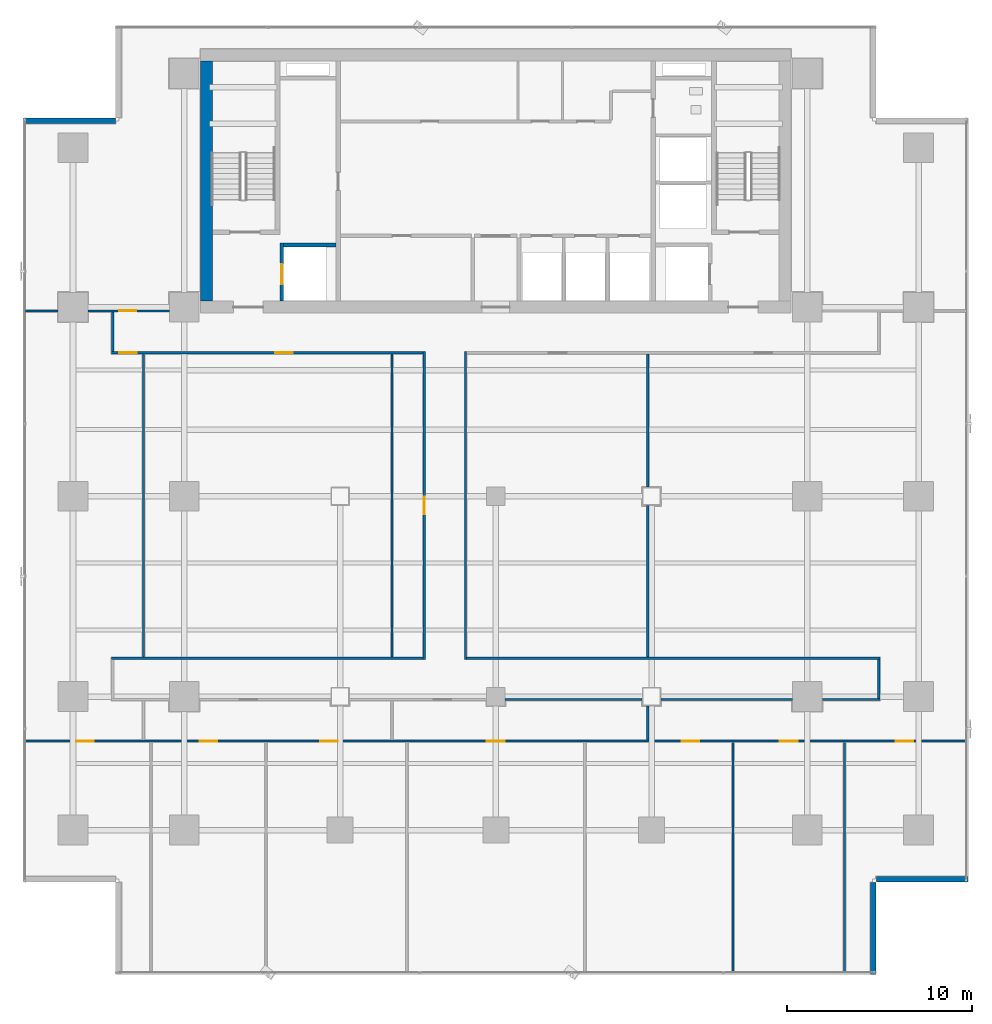
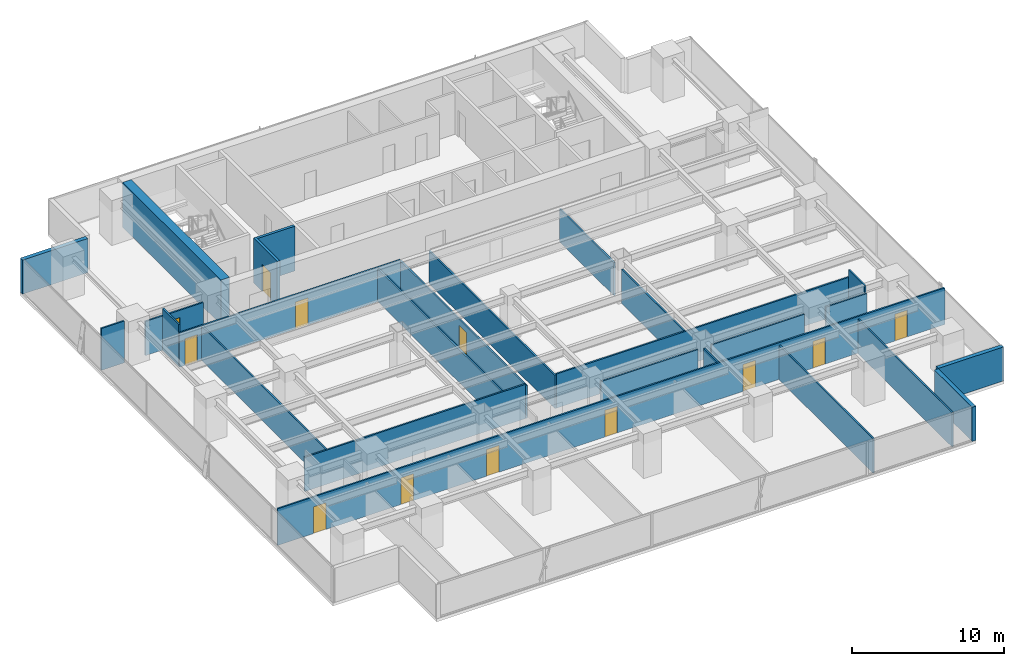
# One storey, part 28 of 36: 26 walls, 12 doors, 12 openings.
"""IFC4 building model written with IfcOpenShell, lengths in metres."""

from ifc_helpers import new_model, si_unit, direction, frame, frame_2d, origin, place, context, subcontext, project, spatial, rectangle, extrude, source, transform, mapped, material, layer, layer_set, type_object, element, fill, save


model = new_model("IFC4")

# Units and contexts
model_context = context("Model", 3, precision=1e-05, world=origin(), true_north=direction((0.0, 1.0)))
body_context = subcontext(model_context, "Body", "Model", "MODEL_VIEW")
ifc_project = project(units=[si_unit("LENGTHUNIT", "METRE"), si_unit("AREAUNIT", "SQUARE_METRE"), si_unit("VOLUMEUNIT", "CUBIC_METRE"), si_unit("PLANEANGLEUNIT", "RADIAN"), si_unit("MASSUNIT", "GRAM", prefix="KILO")], contexts=[model_context])

# Site, building, storey
site_placement = place(None, origin())
site = spatial("IfcSite", under=ifc_project, at=site_placement, CompositionType="ELEMENT")
building_placement = place(site_placement, origin())
building = spatial("IfcBuilding", under=site, at=building_placement, Name="Sumidabori Civic Tower", CompositionType="ELEMENT")
storey_placement = place(building_placement, frame((0.0, 0.0, 84.800048828125)))
storey = spatial("IfcBuildingStorey", under=building, at=storey_placement, Name="L21", CompositionType="ELEMENT", Elevation=84.800048828125)

# Walls
ifc_material_1 = material(Name="Concrete C50/60", Category="concrete")
ifc_layer_1 = layer(ifc_material_1, 0.199951171875, Name="Concrete C50/60")
ifc_layer_set_1 = layer_set([ifc_layer_1], Name="Concrete C50/60")
wall_type_1 = type_object("IfcWallType", Name="WL-SHAFT-200", PredefinedType="SHEAR", material=ifc_layer_set_1)
shared_shape_1 = source(origin(), body_context, "Body", "SweptSolid", [
    extrude(rectangle(XDim=2.824951171875, YDim=0.199951171875, at=frame_2d((1.41259765625, 0.0))), origin(), (0.0, 0.0, 1.0), 3.599853515625),
])
wall_1_placement = place(storey_placement, frame((-11.449951171875, 13.550048828125, 0.0), z_axis=(0.0, 0.0, 1.0), x_axis=(1.0, 0.0, 0.0)))
element("IfcWall", 1, at=wall_1_placement, inside=storey, type_object=wall_type_1, Name="Core Shear Wall L21 EL1-N", PredefinedType="SHEAR", context=body_context, shape_type="MappedRepresentation", body=[
    mapped(shared_shape_1, transform((0.0, 0.0, 0.0), x_axis=(1.0, 0.0, 0.0), y_axis=(0.0, 1.0, 0.0), z_axis=(0.0, 0.0, 1.0), scale=1.0)),
])
ifc_material_2 = material(Name="Concrete C60/75", Category="concrete")
ifc_layer_2 = layer(ifc_material_2, 0.64990234375, Name="Concrete C60/75")
ifc_layer_set_2 = layer_set([ifc_layer_2], Name="Concrete C60/75")
wall_type_2 = type_object("IfcWallType", Name="WL-CORE-650", PredefinedType="SHEAR", material=ifc_layer_set_2)
shared_shape_2 = source(origin(), body_context, "Body", "SweptSolid", [
    extrude(rectangle(XDim=12.9501953125, YDim=0.64990234375, at=frame_2d((6.47509765625, 0.0))), origin(), (0.0, 0.0, 1.0), 3.599853515625),
])
wall_2_placement = place(storey_placement, frame((-15.60009765625, 10.52490234375, 0.0), z_axis=(0.0, 0.0, 1.0), x_axis=(0.0, 1.0, 0.0)))
element("IfcWall", 2, at=wall_2_placement, inside=storey, type_object=wall_type_2, Name="Core Shear Wall L21 W", PredefinedType="SHEAR", context=body_context, shape_type="MappedRepresentation", body=[
    mapped(shared_shape_2, transform((0.0, 0.0, 0.0), x_axis=(1.0, 0.0, 0.0), y_axis=(0.0, 1.0, 0.0), z_axis=(0.0, 0.0, 1.0), scale=1.0)),
])

# Wall, opening, door
shared_shape_3 = source(origin(), body_context, "Body", "SweptSolid", [
    extrude(rectangle(XDim=3.125, YDim=0.199951171875, at=frame_2d((1.5625, 0.0))), origin(), (0.0, 0.0, 1.0), 3.599853515625),
])
wall_3_placement = place(storey_placement, frame((-11.550048828125, 10.52490234375, 0.0), z_axis=(0.0, 0.0, 1.0), x_axis=(0.0, 1.0, 0.0)))
wall_3 = element("IfcWall", 3, at=wall_3_placement, inside=storey, type_object=wall_type_1, Name="Core Shear Wall L21 EL1-W", PredefinedType="SHEAR", context=body_context, shape_type="MappedRepresentation", body=[
    mapped(shared_shape_3, transform((0.0, 0.0, 0.0), x_axis=(1.0, 0.0, 0.0), y_axis=(0.0, 1.0, 0.0), z_axis=(0.0, 0.0, 1.0), scale=1.0)),
])
opening_1_placement = place(wall_3_placement, frame((0.89990234375, 0.0, 0.0)))
opening_1 = element("IfcOpeningElement", 4, at=opening_1_placement, cuts=wall_3, Name="Opening LD-2", PredefinedType="OPENING", context=body_context, shape_type="SweptSolid", body=[
    extrude(rectangle(XDim=1.10009765625, YDim=2.14990234375, at=frame_2d((0.550048828125, 1.074951171875))), frame((0.0, 0.11181640625, 0.0), z_axis=(0.0, -1.0, 0.0), x_axis=(1.0, 0.0, 0.0)), (0.0, 0.0, 1.0), 0.223876953125),
])
ifc_material_3 = material(Name="Stainless Steel Hairline Finish", Category="steel")
door_type_1 = type_object("IfcDoorType", Name="DR-LD2", OperationType="DOUBLE_DOOR_SLIDING", PredefinedType="DOOR", material=ifc_material_3)
shared_shape_4 = source(origin(), body_context, "Body", "SweptSolid", [
    extrude(rectangle(XDim=1.10009765625, YDim=2.14990234375, at=frame_2d((0.550048828125, 1.074951171875))), frame((0.0, 0.02490234375, 0.0), z_axis=(0.0, -1.0, 0.0), x_axis=(1.0, 0.0, 0.0)), (0.0, 0.0, 1.0), 0.050048828125),
])
door_1_placement = place(opening_1_placement, origin())
door_1 = element("IfcDoor", 5, at=door_1_placement, inside=storey, type_object=door_type_1, Name="Door DR:L21:LD-EL1", OperationType="DOUBLE_DOOR_SLIDING", OverallHeight=2.14990234375, OverallWidth=1.10009765625, PredefinedType="DOOR", context=body_context, shape_type="MappedRepresentation", body=[
    mapped(shared_shape_4, transform((0.0, 0.0, 0.0), x_axis=(1.0, 0.0, 0.0), y_axis=(0.0, 1.0, 0.0), z_axis=(0.0, 0.0, 1.0), scale=1.0)),
])
fill(opening_1, door_1)

# Walls
ifc_material_4 = material(Name="Precast concrete C40/50", Category="concrete")
ifc_layer_3 = layer(ifc_material_4, 0.300048828125, Name="Precast concrete C40/50")
ifc_layer_set_3 = layer_set([ifc_layer_3], Name="Precast concrete C40/50")
wall_type_3 = type_object("IfcWallType", Name="WL-EXT-POD300", PredefinedType="STANDARD", material=ifc_layer_set_3)
shared_shape_5 = source(origin(), body_context, "Body", "SweptSolid", [
    extrude(rectangle(XDim=4.9599609375, YDim=0.300048828125, at=frame_2d((2.47998046875, 0.0))), origin(), (0.0, 0.0, 1.0), 2.739990234375),
])
for number, where, z_axis, x_axis, name in (
    (6, (20.35009765625, -25.780029296875, 0.0), (0.0, 0.0, 1.0), (0.0, 1.0, 0.0), "Notched Corner Spandrel Band L21-02"),
    (7, (20.52001953125, -20.64990234375, 0.0), (0.0, 0.0, 1.0), (1.0, 0.0, 0.0), "Notched Corner Spandrel Band L21-03"),
    (8, (-20.52001953125, 20.25, 0.0), (0.0, 0.0, 1.0), (-1.0, 0.0, 0.0), "Notched Corner Spandrel Band L21-09"),
):
    element("IfcWall", number, at=place(storey_placement, frame(where, z_axis=z_axis, x_axis=x_axis)), inside=storey, type_object=wall_type_3, Name=name, PredefinedType="STANDARD", context=body_context, shape_type="MappedRepresentation", body=[
        mapped(shared_shape_5, transform((0.0, 0.0, 0.0), x_axis=(1.0, 0.0, 0.0), y_axis=(0.0, 1.0, 0.0), z_axis=(0.0, 0.0, 1.0), scale=1.0)),
    ])

# Wall, opening, door
ifc_material_5 = material(Name="Gypsum Plasterboard Acoustic Partition")
ifc_layer_4 = layer(ifc_material_5, 0.1201171875, Name="Gypsum Plasterboard Acoustic Partition")
ifc_layer_set_4 = layer_set([ifc_layer_4], Name="Gypsum Plasterboard Acoustic Partition")
wall_type_4 = type_object("IfcWallType", Name="WL-PART-120", PredefinedType="PARTITIONING", material=ifc_layer_set_4)
shared_shape_6 = source(origin(), body_context, "Body", "SweptSolid", [
    extrude(rectangle(XDim=16.60009765625, YDim=0.1201171875, at=frame_2d((8.300048828125, 0.0))), origin(), (0.0, 0.0, 1.0), 2.64501953125),
])
wall_4_placement = place(storey_placement, frame((-3.860107421875, -8.800048828125, 0.0), z_axis=(0.0, 0.0, 1.0), x_axis=(0.0, 1.0, 0.0)))
wall_4 = element("IfcWall", 9, at=wall_4_placement, inside=storey, type_object=wall_type_4, Name="Interior Partition WL:L21:CORR-VSP-W", PredefinedType="PARTITIONING", context=body_context, shape_type="MappedRepresentation", body=[
    mapped(shared_shape_6, transform((0.0, 0.0, 0.0), x_axis=(1.0, 0.0, 0.0), y_axis=(0.0, 1.0, 0.0), z_axis=(0.0, 0.0, 1.0), scale=1.0)),
])
opening_2_placement = place(wall_4_placement, frame((7.824951171875, 0.0, 0.0)))
opening_2 = element("IfcOpeningElement", 10, at=opening_2_placement, cuts=wall_4, Name="Opening DR-2", PredefinedType="OPENING", context=body_context, shape_type="SweptSolid", body=[
    extrude(rectangle(XDim=0.949951171875, YDim=2.14990234375, at=frame_2d((0.47509765625, 1.074951171875))), frame((0.0, 0.072021484375, 0.0), z_axis=(0.0, -1.0, 0.0), x_axis=(1.0, 0.0, 0.0)), (0.0, 0.0, 1.0), 0.14404296875),
])
ifc_material_6 = material(Name="Japanese Hinoki Timber", Category="wood")
door_type_2 = type_object("IfcDoorType", Name="DR-INT-950", OperationType="NOTDEFINED", PredefinedType="DOOR", material=ifc_material_6)
shared_shape_7 = source(origin(), body_context, "Body", "SweptSolid", [
    extrude(rectangle(XDim=0.949951171875, YDim=2.14990234375, at=frame_2d((0.47509765625, 1.074951171875))), frame((0.0, 0.02490234375, 0.0), z_axis=(0.0, -1.0, 0.0), x_axis=(1.0, 0.0, 0.0)), (0.0, 0.0, 1.0), 0.050048828125),
])
door_2_placement = place(opening_2_placement, origin())
door_2 = element("IfcDoor", 11, at=door_2_placement, inside=storey, type_object=door_type_2, Name="Door DR:L21:D03", OperationType="SINGLE_SWING_LEFT", OverallHeight=2.14990234375, OverallWidth=0.949951171875, PredefinedType="DOOR", context=body_context, shape_type="MappedRepresentation", body=[
    mapped(shared_shape_7, transform((0.0, 0.0, 0.0), x_axis=(1.0, 0.0, 0.0), y_axis=(0.0, 1.0, 0.0), z_axis=(0.0, 0.0, 1.0), scale=1.0)),
])
fill(opening_2, door_2)

# Wall
wall_5_placement = place(storey_placement, frame((-1.639892578125, -8.800048828125, 0.0), z_axis=(0.0, 0.0, 1.0), x_axis=(0.0, 1.0, 0.0)))
element("IfcWall", 12, at=wall_5_placement, inside=storey, type_object=wall_type_4, Name="Interior Partition WL:L21:CORR-VSP-E", PredefinedType="PARTITIONING", context=body_context, shape_type="MappedRepresentation", body=[
    mapped(shared_shape_6, transform((0.0, 0.0, 0.0), x_axis=(1.0, 0.0, 0.0), y_axis=(0.0, 1.0, 0.0), z_axis=(0.0, 0.0, 1.0), scale=1.0)),
])

# Wall, openings, doors
shared_shape_8 = source(origin(), body_context, "Body", "SweptSolid", [
    extrude(rectangle(XDim=50.7001953125, YDim=0.1201171875, at=frame_2d((25.35009765625, 0.0))), origin(), (0.0, 0.0, 1.0), 2.945068359375),
])
wall_6_placement = place(storey_placement, frame((-25.35009765625, -13.199951171875, 0.0), z_axis=(0.0, 0.0, 1.0), x_axis=(1.0, 0.0, 0.0)))
wall_6 = element("IfcWall", 13, at=wall_6_placement, inside=storey, type_object=wall_type_4, Name="Interior Partition WL:L21:BAND-Y", PredefinedType="PARTITIONING", context=body_context, shape_type="MappedRepresentation", body=[
    mapped(shared_shape_8, transform((0.0, 0.0, 0.0), x_axis=(1.0, 0.0, 0.0), y_axis=(0.0, 1.0, 0.0), z_axis=(0.0, 0.0, 1.0), scale=1.0)),
])
opening_3_placement = place(wall_6_placement, frame((46.919921875, 0.0, 0.0)))
opening_3 = element("IfcOpeningElement", 14, at=opening_3_placement, cuts=wall_6, Name="Opening DR-2", PredefinedType="OPENING", context=body_context, shape_type="SweptSolid", body=[
    extrude(rectangle(XDim=0.949951171875, YDim=2.14990234375, at=frame_2d((0.47509765625, 1.074951171875))), frame((0.0, 0.072021484375, 0.0), z_axis=(0.0, -1.0, 0.0), x_axis=(1.0, 0.0, 0.0)), (0.0, 0.0, 1.0), 0.14404296875),
])
opening_4_placement = place(wall_6_placement, frame((2.72998046875, 0.0, 0.0)))
opening_4 = element("IfcOpeningElement", 15, at=opening_4_placement, cuts=wall_6, Name="Opening DR-2", PredefinedType="OPENING", context=body_context, shape_type="SweptSolid", body=[
    extrude(rectangle(XDim=0.949951171875, YDim=2.14990234375, at=frame_2d((0.47509765625, 1.074951171875))), frame((0.0, 0.072021484375, 0.0), z_axis=(0.0, -1.0, 0.0), x_axis=(1.0, 0.0, 0.0)), (0.0, 0.0, 1.0), 0.14404296875),
])
opening_5_placement = place(wall_6_placement, frame((9.375, 0.0, 0.0)))
opening_5 = element("IfcOpeningElement", 16, at=opening_5_placement, cuts=wall_6, Name="Opening DR-2", PredefinedType="OPENING", context=body_context, shape_type="SweptSolid", body=[
    extrude(rectangle(XDim=0.949951171875, YDim=2.14990234375, at=frame_2d((0.47509765625, 1.074951171875))), frame((0.0, 0.072021484375, 0.0), z_axis=(0.0, -1.0, 0.0), x_axis=(1.0, 0.0, 0.0)), (0.0, 0.0, 1.0), 0.14404296875),
])
opening_6_placement = place(wall_6_placement, frame((15.875, 0.0, 0.0)))
opening_6 = element("IfcOpeningElement", 17, at=opening_6_placement, cuts=wall_6, Name="Opening DR-2", PredefinedType="OPENING", context=body_context, shape_type="SweptSolid", body=[
    extrude(rectangle(XDim=0.949951171875, YDim=2.14990234375, at=frame_2d((0.47509765625, 1.074951171875))), frame((0.0, 0.072021484375, 0.0), z_axis=(0.0, -1.0, 0.0), x_axis=(1.0, 0.0, 0.0)), (0.0, 0.0, 1.0), 0.14404296875),
])
opening_7_placement = place(wall_6_placement, frame((24.875, 0.0, 0.0)))
opening_7 = element("IfcOpeningElement", 18, at=opening_7_placement, cuts=wall_6, Name="Opening DR-2", PredefinedType="OPENING", context=body_context, shape_type="SweptSolid", body=[
    extrude(rectangle(XDim=0.949951171875, YDim=2.14990234375, at=frame_2d((0.47509765625, 1.074951171875))), frame((0.0, 0.072021484375, 0.0), z_axis=(0.0, -1.0, 0.0), x_axis=(1.0, 0.0, 0.0)), (0.0, 0.0, 1.0), 0.14404296875),
])
opening_8_placement = place(wall_6_placement, frame((35.375, 0.0, 0.0)))
opening_8 = element("IfcOpeningElement", 19, at=opening_8_placement, cuts=wall_6, Name="Opening DR-2", PredefinedType="OPENING", context=body_context, shape_type="SweptSolid", body=[
    extrude(rectangle(XDim=0.949951171875, YDim=2.14990234375, at=frame_2d((0.47509765625, 1.074951171875))), frame((0.0, 0.072021484375, 0.0), z_axis=(0.0, -1.0, 0.0), x_axis=(1.0, 0.0, 0.0)), (0.0, 0.0, 1.0), 0.14404296875),
])
opening_9_placement = place(wall_6_placement, frame((40.675048828125, 0.0, 0.0)))
opening_9 = element("IfcOpeningElement", 20, at=opening_9_placement, cuts=wall_6, Name="Opening DR-2", PredefinedType="OPENING", context=body_context, shape_type="SweptSolid", body=[
    extrude(rectangle(XDim=0.949951171875, YDim=2.14990234375, at=frame_2d((0.47509765625, 1.074951171875))), frame((0.0, 0.072021484375, 0.0), z_axis=(0.0, -1.0, 0.0), x_axis=(1.0, 0.0, 0.0)), (0.0, 0.0, 1.0), 0.14404296875),
])
door_3_placement = place(opening_3_placement, origin())
door_3 = element("IfcDoor", 21, at=door_3_placement, inside=storey, type_object=door_type_2, Name="Door DR:L21:D09", OperationType="SINGLE_SWING_LEFT", OverallHeight=2.14990234375, OverallWidth=0.949951171875, PredefinedType="DOOR", context=body_context, shape_type="MappedRepresentation", body=[
    mapped(shared_shape_7, transform((0.0, 0.0, 0.0), x_axis=(1.0, 0.0, 0.0), y_axis=(0.0, 1.0, 0.0), z_axis=(0.0, 0.0, 1.0), scale=1.0)),
])
fill(opening_3, door_3)
door_4_placement = place(opening_4_placement, origin())
door_4 = element("IfcDoor", 22, at=door_4_placement, inside=storey, type_object=door_type_2, Name="Door DR:L21:D10", OperationType="SINGLE_SWING_RIGHT", OverallHeight=2.14990234375, OverallWidth=0.949951171875, PredefinedType="DOOR", context=body_context, shape_type="MappedRepresentation", body=[
    mapped(shared_shape_7, transform((0.0, 0.0, 0.0), x_axis=(1.0, 0.0, 0.0), y_axis=(0.0, 1.0, 0.0), z_axis=(0.0, 0.0, 1.0), scale=1.0)),
])
fill(opening_4, door_4)
door_5_placement = place(opening_5_placement, origin())
door_5 = element("IfcDoor", 23, at=door_5_placement, inside=storey, type_object=door_type_2, Name="Door DR:L21:D11", OperationType="SINGLE_SWING_LEFT", OverallHeight=2.14990234375, OverallWidth=0.949951171875, PredefinedType="DOOR", context=body_context, shape_type="MappedRepresentation", body=[
    mapped(shared_shape_7, transform((0.0, 0.0, 0.0), x_axis=(1.0, 0.0, 0.0), y_axis=(0.0, 1.0, 0.0), z_axis=(0.0, 0.0, 1.0), scale=1.0)),
])
fill(opening_5, door_5)
door_6_placement = place(opening_6_placement, origin())
door_6 = element("IfcDoor", 24, at=door_6_placement, inside=storey, type_object=door_type_2, Name="Door DR:L21:D12", OperationType="SINGLE_SWING_RIGHT", OverallHeight=2.14990234375, OverallWidth=0.949951171875, PredefinedType="DOOR", context=body_context, shape_type="MappedRepresentation", body=[
    mapped(shared_shape_7, transform((0.0, 0.0, 0.0), x_axis=(1.0, 0.0, 0.0), y_axis=(0.0, 1.0, 0.0), z_axis=(0.0, 0.0, 1.0), scale=1.0)),
])
fill(opening_6, door_6)
door_7_placement = place(opening_7_placement, origin())
door_7 = element("IfcDoor", 25, at=door_7_placement, inside=storey, type_object=door_type_2, Name="Door DR:L21:D13", OperationType="SINGLE_SWING_LEFT", OverallHeight=2.14990234375, OverallWidth=0.949951171875, PredefinedType="DOOR", context=body_context, shape_type="MappedRepresentation", body=[
    mapped(shared_shape_7, transform((0.0, 0.0, 0.0), x_axis=(1.0, 0.0, 0.0), y_axis=(0.0, 1.0, 0.0), z_axis=(0.0, 0.0, 1.0), scale=1.0)),
])
fill(opening_7, door_7)
door_8_placement = place(opening_8_placement, origin())
door_8 = element("IfcDoor", 26, at=door_8_placement, inside=storey, type_object=door_type_2, Name="Door DR:L21:D14", OperationType="SINGLE_SWING_RIGHT", OverallHeight=2.14990234375, OverallWidth=0.949951171875, PredefinedType="DOOR", context=body_context, shape_type="MappedRepresentation", body=[
    mapped(shared_shape_7, transform((0.0, 0.0, 0.0), x_axis=(1.0, 0.0, 0.0), y_axis=(0.0, 1.0, 0.0), z_axis=(0.0, 0.0, 1.0), scale=1.0)),
])
fill(opening_8, door_8)
door_9_placement = place(opening_9_placement, origin())
door_9 = element("IfcDoor", 27, at=door_9_placement, inside=storey, type_object=door_type_2, Name="Door DR:L21:D15", OperationType="SINGLE_SWING_LEFT", OverallHeight=2.14990234375, OverallWidth=0.949951171875, PredefinedType="DOOR", context=body_context, shape_type="MappedRepresentation", body=[
    mapped(shared_shape_7, transform((0.0, 0.0, 0.0), x_axis=(1.0, 0.0, 0.0), y_axis=(0.0, 1.0, 0.0), z_axis=(0.0, 0.0, 1.0), scale=1.0)),
])
fill(opening_9, door_9)

# Walls
shared_shape_9 = source(origin(), body_context, "Body", "SweptSolid", [
    extrude(rectangle(XDim=16.35009765625, YDim=0.1201171875, at=frame_2d((8.175048828125, 0.0))), origin(), (0.0, 0.0, 1.0), 2.64501953125),
])
wall_7_placement = place(storey_placement, frame((-5.60009765625, -8.675048828125, 0.0), z_axis=(0.0, 0.0, 1.0), x_axis=(0.0, 1.0, 0.0)))
element("IfcWall", 28, at=wall_7_placement, inside=storey, type_object=wall_type_4, Name="Interior Partition WL:L21:VX-N2-2", PredefinedType="PARTITIONING", context=body_context, shape_type="MappedRepresentation", body=[
    mapped(shared_shape_9, transform((0.0, 0.0, 0.0), x_axis=(1.0, 0.0, 0.0), y_axis=(0.0, 1.0, 0.0), z_axis=(0.0, 0.0, 1.0), scale=1.0)),
])
shared_shape_10 = source(origin(), body_context, "Body", "SweptSolid", [
    extrude(rectangle(XDim=1.824951171875, YDim=0.1201171875, at=frame_2d((0.91259765625, 0.0))), origin(), (0.0, 0.0, 1.0), 2.945068359375),
])
wall_8_placement = place(storey_placement, frame((8.199951171875, -13.135009765625, 0.0), z_axis=(0.0, 0.0, 1.0), x_axis=(0.0, 1.0, 0.0)))
element("IfcWall", 29, at=wall_8_placement, inside=storey, type_object=wall_type_4, Name="Interior Partition WL:L21:VX-N3-1", PredefinedType="PARTITIONING", context=body_context, shape_type="MappedRepresentation", body=[
    mapped(shared_shape_10, transform((0.0, 0.0, 0.0), x_axis=(1.0, 0.0, 0.0), y_axis=(0.0, 1.0, 0.0), z_axis=(0.0, 0.0, 1.0), scale=1.0)),
])
shared_shape_11 = source(origin(), body_context, "Body", "SweptSolid", [
    extrude(rectangle(XDim=7.1650390625, YDim=0.1201171875, at=frame_2d((3.58251953125, 0.0))), origin(), (0.0, 0.0, 1.0), 2.64501953125),
])
wall_9_placement = place(storey_placement, frame((8.199951171875, 0.510009765625, 0.0), z_axis=(0.0, 0.0, 1.0), x_axis=(0.0, 1.0, 0.0)))
element("IfcWall", 30, at=wall_9_placement, inside=storey, type_object=wall_type_4, Name="Interior Partition WL:L21:VX-N3-3", PredefinedType="PARTITIONING", context=body_context, shape_type="MappedRepresentation", body=[
    mapped(shared_shape_11, transform((0.0, 0.0, 0.0), x_axis=(1.0, 0.0, 0.0), y_axis=(0.0, 1.0, 0.0), z_axis=(0.0, 0.0, 1.0), scale=1.0)),
])
shared_shape_12 = source(origin(), body_context, "Body", "SweptSolid", [
    extrude(rectangle(XDim=1.739990234375, YDim=0.1201171875, at=frame_2d((0.8701171875, 0.0))), origin(), (0.0, 0.0, 1.0), 3.35986328125),
])
wall_10_placement = place(storey_placement, frame((-25.35009765625, 10.0, 0.0), z_axis=(0.0, 0.0, 1.0), x_axis=(1.0, 0.0, 0.0)))
element("IfcWall", 31, at=wall_10_placement, inside=storey, type_object=wall_type_4, Name="Interior Partition WL:L21:FLK-NW-1", PredefinedType="PARTITIONING", context=body_context, shape_type="MappedRepresentation", body=[
    mapped(shared_shape_12, transform((0.0, 0.0, 0.0), x_axis=(1.0, 0.0, 0.0), y_axis=(0.0, 1.0, 0.0), z_axis=(0.0, 0.0, 1.0), scale=1.0)),
])

# Wall, opening, door
shared_shape_13 = source(origin(), body_context, "Body", "SweptSolid", [
    extrude(rectangle(XDim=4.3798828125, YDim=0.1201171875, at=frame_2d((2.18994140625, 0.0))), origin(), (0.0, 0.0, 1.0), 2.744873046875),
])
wall_11_placement = place(storey_placement, frame((-21.989990234375, 10.0, 0.0), z_axis=(0.0, 0.0, 1.0), x_axis=(1.0, 0.0, 0.0)))
wall_11 = element("IfcWall", 32, at=wall_11_placement, inside=storey, type_object=wall_type_4, Name="Interior Partition WL:L21:FLK-NW-2", PredefinedType="PARTITIONING", context=body_context, shape_type="MappedRepresentation", body=[
    mapped(shared_shape_13, transform((0.0, 0.0, 0.0), x_axis=(1.0, 0.0, 0.0), y_axis=(0.0, 1.0, 0.0), z_axis=(0.0, 0.0, 1.0), scale=1.0)),
])
opening_10_placement = place(wall_11_placement, frame((1.695068359375, 0.0, 0.0)))
opening_10 = element("IfcOpeningElement", 33, at=opening_10_placement, cuts=wall_11, Name="Opening DR-1", PredefinedType="OPENING", context=body_context, shape_type="SweptSolid", body=[
    extrude(rectangle(XDim=0.89990234375, YDim=2.14990234375, at=frame_2d((0.449951171875, 1.074951171875))), frame((0.0, 0.072021484375, 0.0), z_axis=(0.0, -1.0, 0.0), x_axis=(1.0, 0.0, 0.0)), (0.0, 0.0, 1.0), 0.14404296875),
])
door_type_3 = type_object("IfcDoorType", Name="DR-INT-900", OperationType="NOTDEFINED", PredefinedType="DOOR", material=ifc_material_6)
shared_shape_14 = source(origin(), body_context, "Body", "SweptSolid", [
    extrude(rectangle(XDim=0.89990234375, YDim=2.14990234375, at=frame_2d((0.449951171875, 1.074951171875))), frame((0.0, 0.02490234375, 0.0), z_axis=(0.0, -1.0, 0.0), x_axis=(1.0, 0.0, 0.0)), (0.0, 0.0, 1.0), 0.050048828125),
])
door_10_placement = place(opening_10_placement, origin())
door_10 = element("IfcDoor", 34, at=door_10_placement, inside=storey, type_object=door_type_3, Name="Door DR:L21:FLK-NE", OperationType="SINGLE_SWING_LEFT", OverallHeight=2.14990234375, OverallWidth=0.89990234375, PredefinedType="DOOR", context=body_context, shape_type="MappedRepresentation", body=[
    mapped(shared_shape_14, transform((0.0, 0.0, 0.0), x_axis=(1.0, 0.0, 0.0), y_axis=(0.0, 1.0, 0.0), z_axis=(0.0, 0.0, 1.0), scale=1.0)),
])
fill(opening_10, door_10)

# Wall, openings, doors
shared_shape_15 = source(origin(), body_context, "Body", "SweptSolid", [
    extrude(rectangle(XDim=16.800048828125, YDim=0.1201171875, at=frame_2d((8.39990234375, 0.0))), origin(), (0.0, 0.0, 1.0), 2.744873046875),
])
wall_12_placement = place(storey_placement, frame((-20.719970703125, 7.739990234375, 0.0), z_axis=(0.0, 0.0, 1.0), x_axis=(1.0, 0.0, 0.0)))
wall_12 = element("IfcWall", 35, at=wall_12_placement, inside=storey, type_object=wall_type_4, Name="Interior Partition WL:L21:CORR-SW", PredefinedType="PARTITIONING", context=body_context, shape_type="MappedRepresentation", body=[
    mapped(shared_shape_15, transform((0.0, 0.0, 0.0), x_axis=(1.0, 0.0, 0.0), y_axis=(0.0, 1.0, 0.0), z_axis=(0.0, 0.0, 1.0), scale=1.0)),
])
opening_11_placement = place(wall_12_placement, frame((8.824951171875, 0.0, 0.0)))
opening_11 = element("IfcOpeningElement", 36, at=opening_11_placement, cuts=wall_12, Name="Opening DR-2", PredefinedType="OPENING", context=body_context, shape_type="SweptSolid", body=[
    extrude(rectangle(XDim=0.949951171875, YDim=2.14990234375, at=frame_2d((0.47509765625, 1.074951171875))), frame((0.0, 0.072021484375, 0.0), z_axis=(0.0, -1.0, 0.0), x_axis=(1.0, 0.0, 0.0)), (0.0, 0.0, 1.0), 0.14404296875),
])
opening_12_placement = place(wall_12_placement, frame((0.4150390625, 0.0, 0.0)))
opening_12 = element("IfcOpeningElement", 37, at=opening_12_placement, cuts=wall_12, Name="Opening DR-2", PredefinedType="OPENING", context=body_context, shape_type="SweptSolid", body=[
    extrude(rectangle(XDim=0.949951171875, YDim=2.14990234375, at=frame_2d((0.47509765625, 1.074951171875))), frame((0.0, 0.072021484375, 0.0), z_axis=(0.0, -1.0, 0.0), x_axis=(1.0, 0.0, 0.0)), (0.0, 0.0, 1.0), 0.14404296875),
])
door_11_placement = place(opening_11_placement, origin())
door_11 = element("IfcDoor", 38, at=door_11_placement, inside=storey, type_object=door_type_2, Name="Door DR:L21:D02", OperationType="SINGLE_SWING_RIGHT", OverallHeight=2.14990234375, OverallWidth=0.949951171875, PredefinedType="DOOR", context=body_context, shape_type="MappedRepresentation", body=[
    mapped(shared_shape_7, transform((0.0, 0.0, 0.0), x_axis=(1.0, 0.0, 0.0), y_axis=(0.0, 1.0, 0.0), z_axis=(0.0, 0.0, 1.0), scale=1.0)),
])
fill(opening_11, door_11)
door_12_placement = place(opening_12_placement, origin())
door_12 = element("IfcDoor", 39, at=door_12_placement, inside=storey, type_object=door_type_2, Name="Door DR:L21:D05", OperationType="SINGLE_SWING_LEFT", OverallHeight=2.14990234375, OverallWidth=0.949951171875, PredefinedType="DOOR", context=body_context, shape_type="MappedRepresentation", body=[
    mapped(shared_shape_7, transform((0.0, 0.0, 0.0), x_axis=(1.0, 0.0, 0.0), y_axis=(0.0, 1.0, 0.0), z_axis=(0.0, 0.0, 1.0), scale=1.0)),
])
fill(opening_12, door_12)

# Walls
wall_13_placement = place(storey_placement, frame((-20.719970703125, -8.739990234375, 0.0), z_axis=(0.0, 0.0, 1.0), x_axis=(1.0, 0.0, 0.0)))
element("IfcWall", 40, at=wall_13_placement, inside=storey, type_object=wall_type_4, Name="Interior Partition WL:L21:CORR-MNW", PredefinedType="PARTITIONING", context=body_context, shape_type="MappedRepresentation", body=[
    mapped(shared_shape_15, transform((0.0, 0.0, 0.0), x_axis=(1.0, 0.0, 0.0), y_axis=(0.0, 1.0, 0.0), z_axis=(0.0, 0.0, 1.0), scale=1.0)),
])
shared_shape_16 = source(origin(), body_context, "Body", "SweptSolid", [
    extrude(rectangle(XDim=22.300048828125, YDim=0.1201171875, at=frame_2d((11.14990234375, 0.0))), origin(), (0.0, 0.0, 1.0), 2.744873046875),
])
wall_14_placement = place(storey_placement, frame((-1.580078125, -8.739990234375, 0.0), z_axis=(0.0, 0.0, 1.0), x_axis=(1.0, 0.0, 0.0)))
element("IfcWall", 41, at=wall_14_placement, inside=storey, type_object=wall_type_4, Name="Interior Partition WL:L21:CORR-MNE", PredefinedType="PARTITIONING", context=body_context, shape_type="MappedRepresentation", body=[
    mapped(shared_shape_16, transform((0.0, 0.0, 0.0), x_axis=(1.0, 0.0, 0.0), y_axis=(0.0, 1.0, 0.0), z_axis=(0.0, 0.0, 1.0), scale=1.0)),
])
shared_shape_17 = source(origin(), body_context, "Body", "SweptSolid", [
    extrude(rectangle(XDim=3.10986328125, YDim=0.1201171875, at=frame_2d((1.554931640625, 0.0))), origin(), (0.0, 0.0, 1.0), 2.744873046875),
])
wall_15_placement = place(storey_placement, frame((17.610107421875, -10.9599609375, 0.0), z_axis=(0.0, 0.0, 1.0), x_axis=(1.0, 0.0, 0.0)))
element("IfcWall", 42, at=wall_15_placement, inside=storey, type_object=wall_type_4, Name="Interior Partition WL:L21:CORR-SS-6", PredefinedType="PARTITIONING", context=body_context, shape_type="MappedRepresentation", body=[
    mapped(shared_shape_17, transform((0.0, 0.0, 0.0), x_axis=(1.0, 0.0, 0.0), y_axis=(0.0, 1.0, 0.0), z_axis=(0.0, 0.0, 1.0), scale=1.0)),
])
shared_shape_18 = source(origin(), body_context, "Body", "SweptSolid", [
    extrude(rectangle(XDim=7.080078125, YDim=0.1201171875, at=frame_2d((3.5400390625, 0.0))), origin(), (0.0, 0.0, 1.0), 2.744873046875),
])
wall_16_placement = place(storey_placement, frame((8.909912109375, -10.9599609375, 0.0), z_axis=(0.0, 0.0, 1.0), x_axis=(1.0, 0.0, 0.0)))
element("IfcWall", 43, at=wall_16_placement, inside=storey, type_object=wall_type_4, Name="Interior Partition WL:L21:CORR-SS-5", PredefinedType="PARTITIONING", context=body_context, shape_type="MappedRepresentation", body=[
    mapped(shared_shape_18, transform((0.0, 0.0, 0.0), x_axis=(1.0, 0.0, 0.0), y_axis=(0.0, 1.0, 0.0), z_axis=(0.0, 0.0, 1.0), scale=1.0)),
])
shared_shape_19 = source(origin(), body_context, "Body", "SweptSolid", [
    extrude(rectangle(XDim=7.3798828125, YDim=0.1201171875, at=frame_2d((3.68994140625, 0.0))), origin(), (0.0, 0.0, 1.0), 2.744873046875),
])
wall_17_placement = place(storey_placement, frame((0.510009765625, -10.9599609375, 0.0), z_axis=(0.0, 0.0, 1.0), x_axis=(1.0, 0.0, 0.0)))
element("IfcWall", 44, at=wall_17_placement, inside=storey, type_object=wall_type_4, Name="Interior Partition WL:L21:CORR-SS-4", PredefinedType="PARTITIONING", context=body_context, shape_type="MappedRepresentation", body=[
    mapped(shared_shape_19, transform((0.0, 0.0, 0.0), x_axis=(1.0, 0.0, 0.0), y_axis=(0.0, 1.0, 0.0), z_axis=(0.0, 0.0, 1.0), scale=1.0)),
])
shared_shape_20 = source(origin(), body_context, "Body", "SweptSolid", [
    extrude(rectangle(XDim=2.130126953125, YDim=0.1201171875, at=frame_2d((1.06494140625, 0.0))), origin(), (0.0, 0.0, 1.0), 3.35986328125),
])
wall_18_placement = place(storey_placement, frame((-20.659912109375, 7.804931640625, 0.0), z_axis=(0.0, 0.0, 1.0), x_axis=(0.0, 1.0, 0.0)))
element("IfcWall", 45, at=wall_18_placement, inside=storey, type_object=wall_type_4, Name="Interior Partition WL:L21:CORR-VNW", PredefinedType="PARTITIONING", context=body_context, shape_type="MappedRepresentation", body=[
    mapped(shared_shape_20, transform((0.0, 0.0, 0.0), x_axis=(1.0, 0.0, 0.0), y_axis=(0.0, 1.0, 0.0), z_axis=(0.0, 0.0, 1.0), scale=1.0)),
])
shared_shape_21 = source(origin(), body_context, "Body", "SweptSolid", [
    extrude(rectangle(XDim=2.090087890625, YDim=0.1201171875, at=frame_2d((1.044921875, 0.0))), origin(), (0.0, 0.0, 1.0), 3.35986328125),
])
wall_19_placement = place(storey_placement, frame((20.659912109375, -10.89501953125, 0.0), z_axis=(0.0, 0.0, 1.0), x_axis=(0.0, 1.0, 0.0)))
element("IfcWall", 46, at=wall_19_placement, inside=storey, type_object=wall_type_4, Name="Interior Partition WL:L21:CORR-VSE", PredefinedType="PARTITIONING", context=body_context, shape_type="MappedRepresentation", body=[
    mapped(shared_shape_21, transform((0.0, 0.0, 0.0), x_axis=(1.0, 0.0, 0.0), y_axis=(0.0, 1.0, 0.0), z_axis=(0.0, 0.0, 1.0), scale=1.0)),
])
shared_shape_22 = source(origin(), body_context, "Body", "SweptSolid", [
    extrude(rectangle(XDim=16.35009765625, YDim=0.1201171875, at=frame_2d((8.175048828125, 0.0))), origin(), (0.0, 0.0, 1.0), 2.744873046875),
])
wall_20_placement = place(storey_placement, frame((-19.0, -8.675048828125, 0.0), z_axis=(0.0, 0.0, 1.0), x_axis=(0.0, 1.0, 0.0)))
element("IfcWall", 47, at=wall_20_placement, inside=storey, type_object=wall_type_4, Name="Interior Partition WL:L21:VX-N1-2", PredefinedType="PARTITIONING", context=body_context, shape_type="MappedRepresentation", body=[
    mapped(shared_shape_22, transform((0.0, 0.0, 0.0), x_axis=(1.0, 0.0, 0.0), y_axis=(0.0, 1.0, 0.0), z_axis=(0.0, 0.0, 1.0), scale=1.0)),
])
shared_shape_23 = source(origin(), body_context, "Body", "SweptSolid", [
    extrude(rectangle(XDim=8.1650390625, YDim=0.1201171875, at=frame_2d((4.08251953125, 0.0))), origin(), (0.0, 0.0, 1.0), 2.744873046875),
])
wall_21_placement = place(storey_placement, frame((8.199951171875, -8.675048828125, 0.0), z_axis=(0.0, 0.0, 1.0), x_axis=(0.0, 1.0, 0.0)))
element("IfcWall", 48, at=wall_21_placement, inside=storey, type_object=wall_type_4, Name="Interior Partition WL:L21:VX-N3-2", PredefinedType="PARTITIONING", context=body_context, shape_type="MappedRepresentation", body=[
    mapped(shared_shape_23, transform((0.0, 0.0, 0.0), x_axis=(1.0, 0.0, 0.0), y_axis=(0.0, 1.0, 0.0), z_axis=(0.0, 0.0, 1.0), scale=1.0)),
])
shared_shape_24 = source(origin(), body_context, "Body", "SweptSolid", [
    extrude(rectangle(XDim=12.385009765625, YDim=0.1201171875, at=frame_2d((6.1923828125, 0.0))), origin(), (0.0, 0.0, 1.0), 2.744873046875),
])
for number, where, z_axis, x_axis, name in (
    (49, (12.800048828125, -25.64990234375, 0.0), (0.0, 0.0, 1.0), (0.0, 1.0, 0.0), "Interior Partition WL:L21:VX-S5"),
    (50, (18.800048828125, -25.64990234375, 0.0), (0.0, 0.0, 1.0), (0.0, 1.0, 0.0), "Interior Partition WL:L21:VX-S6"),
):
    element("IfcWall", number, at=place(storey_placement, frame(where, z_axis=z_axis, x_axis=x_axis)), inside=storey, type_object=wall_type_4, Name=name, PredefinedType="PARTITIONING", context=body_context, shape_type="MappedRepresentation", body=[
        mapped(shared_shape_24, transform((0.0, 0.0, 0.0), x_axis=(1.0, 0.0, 0.0), y_axis=(0.0, 1.0, 0.0), z_axis=(0.0, 0.0, 1.0), scale=1.0)),
    ])

save(model, "model.ifc")
